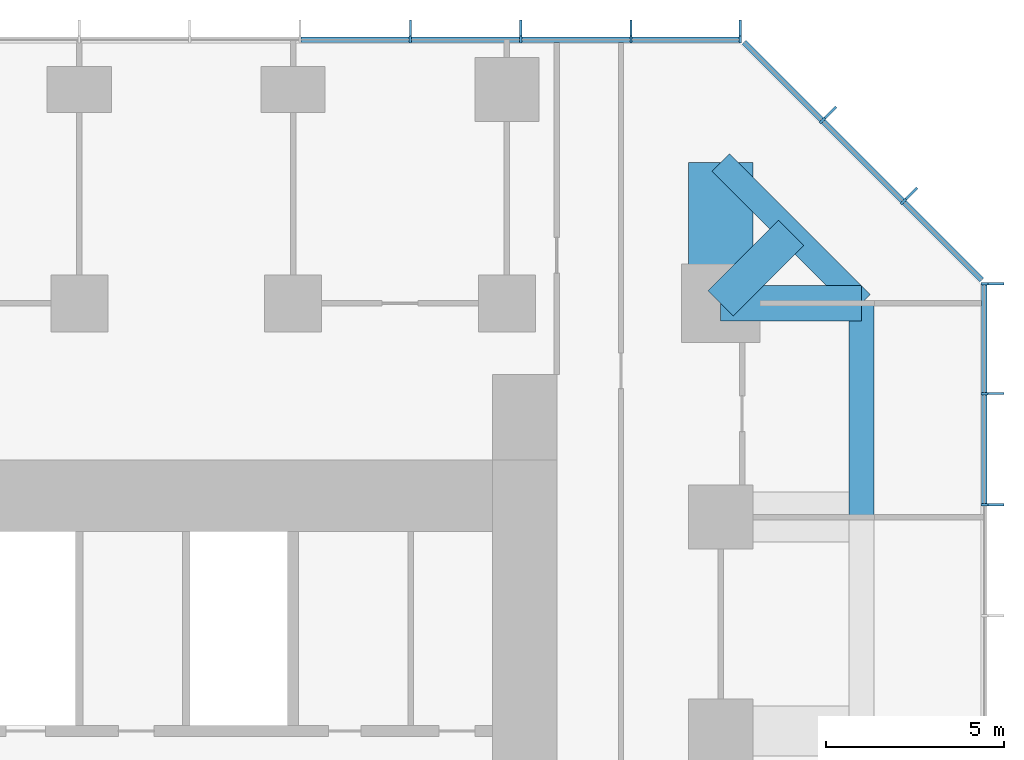
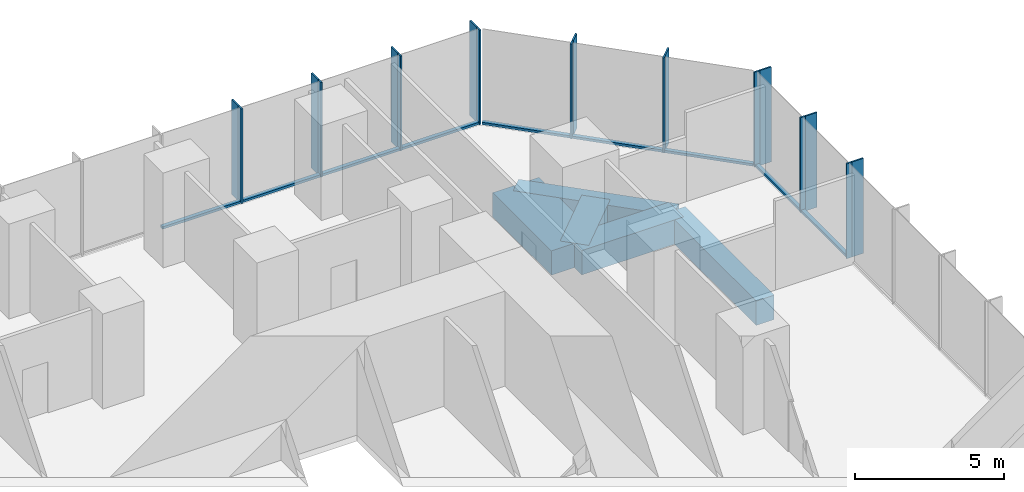
# One storey, part 6 of 12: 27 members, 5 beams, 3 elements without a shape of their own.
"""IFC4 building model written with IfcOpenShell, lengths in metres."""

from ifc_helpers import new_model, si_unit, direction, frame, origin, origin_2d, place, context, subcontext, project, spatial, rectangle, extrude, material, layer, layer_set, material_profile, profile_set, type_object, element, aggregate, save


model = new_model("IFC4")

# Units and contexts
model_context = context("Model", 3, precision=1e-05, world=origin(), true_north=direction((0.0, 1.0)))
body_context = subcontext(model_context, "Body", "Model", "MODEL_VIEW")
ifc_project = project(units=[si_unit("LENGTHUNIT", "METRE"), si_unit("AREAUNIT", "SQUARE_METRE"), si_unit("VOLUMEUNIT", "CUBIC_METRE"), si_unit("PLANEANGLEUNIT", "RADIAN"), si_unit("MASSUNIT", "GRAM", prefix="KILO")], contexts=[model_context])

# Site, building, storey
site_placement = place(None, origin())
site = spatial("IfcSite", under=ifc_project, at=site_placement, CompositionType="ELEMENT")
building_placement = place(site_placement, origin())
building = spatial("IfcBuilding", under=site, at=building_placement, Name="Highveld Stack Headquarters", CompositionType="ELEMENT")
storey_placement = place(building_placement, frame((0.0, 0.0, 148.39990234375)))
storey = spatial("IfcBuildingStorey", under=building, at=storey_placement, Name="L36", CompositionType="ELEMENT", Elevation=148.39990234375)

# Beams
ifc_material_1 = material(Name="Concrete C60/75", Category="concrete")
ifc_material_profile_1 = material_profile(ifc_material_1, rectangle(XDim=1.0, YDim=1.0, at=origin_2d()), Name="RC 1000x1000")
ifc_profile_set_1 = profile_set([ifc_material_profile_1], Name="Concrete C60/75")
beam_type_1 = type_object("IfcBeamType", Name="CANTILEVER RIB RC 1000x1000", PredefinedType="USERDEFINED", material=ifc_profile_set_1)
beam_1_placement = place(storey_placement, frame((24.0, 18.0, -0.75), z_axis=(1.0, 0.0, 0.0), x_axis=(0.0, 1.0, 0.0)))
element("IfcBeam", 1, at=beam_1_placement, inside=storey, type_object=beam_type_1, Name="Cantilever rib 10/H L36", ObjectType="CANTILEVER RIB", PredefinedType="USERDEFINED", context=body_context, shape_type="SweptSolid", body=[
    extrude(rectangle(XDim=1.0, YDim=1.0, at=origin_2d()), origin(), (0.0, 0.0, 1.0), 3.949951171875),
])
beam_2_placement = place(storey_placement, frame((24.0, 18.0, -0.75), z_axis=(0.707106781187, 0.707106781187, 0.0), x_axis=(-0.707106781187, 0.707106781187, 0.0)))
element("IfcBeam", 2, at=beam_2_placement, inside=storey, type_object=beam_type_1, Name="Cantilever rib 10/H L36", ObjectType="CANTILEVER RIB", PredefinedType="USERDEFINED", context=body_context, shape_type="SweptSolid", body=[
    extrude(rectangle(XDim=1.0, YDim=1.0, at=origin_2d()), origin(), (0.0, 0.0, 1.0), 2.793212890625),
])
ifc_material_2 = material(Name="Concrete C60/75", Category="concrete")
ifc_material_profile_2 = material_profile(ifc_material_2, rectangle(XDim=1.800048828125, YDim=1.0, at=origin_2d()), Name="RC 1800x1000")
ifc_profile_set_2 = profile_set([ifc_material_profile_2], Name="Concrete C60/75")
beam_type_2 = type_object("IfcBeamType", Name="CANTILEVER RIB RC 1800x1000", PredefinedType="USERDEFINED", material=ifc_profile_set_2)
beam_3_placement = place(storey_placement, frame((24.0, 18.0, -0.75), z_axis=(0.0, 1.0, 0.0), x_axis=(-1.0, 0.0, 0.0)))
element("IfcBeam", 3, at=beam_3_placement, inside=storey, type_object=beam_type_2, Name="Cantilever rib 10/H L36", ObjectType="CANTILEVER RIB", PredefinedType="USERDEFINED", context=body_context, shape_type="SweptSolid", body=[
    extrude(rectangle(XDim=1.800048828125, YDim=1.0, at=origin_2d()), origin(), (0.0, 0.0, 1.0), 3.949951171875),
])

# Curtain wall, members
ifc_material_3 = material(Name="Aluminium bronze anodised", Category="aluminium")
ifc_layer_1 = layer(ifc_material_3, 0.199951171875)
ifc_layer_set_1 = layer_set([ifc_layer_1], Name="Aluminium bronze anodised")
curtain_wall_type_1 = type_object("IfcCurtainWallType", Name="CW1 TOWER UNITISED CURTAIN WALL", PredefinedType="NOTDEFINED", material=ifc_layer_set_1)
curtain_wall_1_placement = place(storey_placement, origin())
curtain_wall_1 = element("IfcCurtainWall", 4, at=curtain_wall_1_placement, inside=storey, type_object=curtain_wall_type_1, Name="Curtain wall CW1 L36 E", PredefinedType="NOTDEFINED")
ifc_material_4 = material(Name="Aluminium bronze anodised", Category="aluminium")
ifc_material_profile_3 = material_profile(ifc_material_4, rectangle(XDim=0.449951171875, YDim=0.06005859375, at=origin_2d()), Name="FIN 450x60")
ifc_profile_set_3 = profile_set([ifc_material_profile_3], Name="Aluminium bronze anodised")
member_type_1 = type_object("IfcMemberType", Name="CW1 BRONZE FIN 450x60", PredefinedType="USERDEFINED", material=ifc_profile_set_3)
member_1_placement = place(storey_placement, frame((31.72509765625, 12.347900390625, 0.0), z_axis=(0.0, 0.0, 1.0), x_axis=(-1.0, 0.0, 0.0)))
member_1 = element("IfcMember", 5, at=member_1_placement, type_object=member_type_1, Name="CW1 fin L36 9", ObjectType="FIN", PredefinedType="USERDEFINED", context=body_context, shape_type="SweptSolid", body=[
    extrude(rectangle(XDim=0.449951171875, YDim=0.06005859375, at=origin_2d()), origin(), (0.0, 0.0, 1.0), 3.900146484375),
])
member_2_placement = place(storey_placement, frame((31.72509765625, 15.4638671875, 0.0), z_axis=(0.0, 0.0, 1.0), x_axis=(-1.0, 0.0, 0.0)))
member_2 = element("IfcMember", 6, at=member_2_placement, type_object=member_type_1, Name="CW1 fin L36 10", ObjectType="FIN", PredefinedType="USERDEFINED", context=body_context, shape_type="SweptSolid", body=[
    extrude(rectangle(XDim=0.449951171875, YDim=0.06005859375, at=origin_2d()), origin(), (0.0, 0.0, 1.0), 3.900146484375),
])
member_3_placement = place(storey_placement, frame((31.72509765625, 18.54736328125, 0.0), z_axis=(0.0, 0.0, 1.0), x_axis=(-1.0, 0.0, 0.0)))
member_3 = element("IfcMember", 7, at=member_3_placement, type_object=member_type_1, Name="CW1 fin L36 11", ObjectType="FIN", PredefinedType="USERDEFINED", context=body_context, shape_type="SweptSolid", body=[
    extrude(rectangle(XDim=0.449951171875, YDim=0.06005859375, at=origin_2d()), origin(), (0.0, 0.0, 1.0), 3.900146484375),
])

curtain_wall_2_placement = place(storey_placement, origin())
curtain_wall_2 = element("IfcCurtainWall", 8, at=curtain_wall_2_placement, inside=storey, type_object=curtain_wall_type_1, Name="Curtain wall CW1 L36 N", PredefinedType="NOTDEFINED")
member_4_placement = place(storey_placement, frame((24.54736328125, 25.72509765625, 0.0), z_axis=(0.0, 0.0, 1.0), x_axis=(0.0, -1.0, 0.0)))
member_4 = element("IfcMember", 9, at=member_4_placement, type_object=member_type_1, Name="CW1 fin L36 1", ObjectType="FIN", PredefinedType="USERDEFINED", context=body_context, shape_type="SweptSolid", body=[
    extrude(rectangle(XDim=0.449951171875, YDim=0.06005859375, at=origin_2d()), origin(), (0.0, 0.0, 1.0), 3.900146484375),
])
member_5_placement = place(storey_placement, frame((21.483154296875, 25.72509765625, 0.0), z_axis=(0.0, 0.0, 1.0), x_axis=(0.0, -1.0, 0.0)))
member_5 = element("IfcMember", 10, at=member_5_placement, type_object=member_type_1, Name="CW1 fin L36 2", ObjectType="FIN", PredefinedType="USERDEFINED", context=body_context, shape_type="SweptSolid", body=[
    extrude(rectangle(XDim=0.449951171875, YDim=0.06005859375, at=origin_2d()), origin(), (0.0, 0.0, 1.0), 3.900146484375),
])
member_6_placement = place(storey_placement, frame((18.38671875, 25.72509765625, 0.0), z_axis=(0.0, 0.0, 1.0), x_axis=(0.0, -1.0, 0.0)))
member_6 = element("IfcMember", 11, at=member_6_placement, type_object=member_type_1, Name="CW1 fin L36 3", ObjectType="FIN", PredefinedType="USERDEFINED", context=body_context, shape_type="SweptSolid", body=[
    extrude(rectangle(XDim=0.449951171875, YDim=0.06005859375, at=origin_2d()), origin(), (0.0, 0.0, 1.0), 3.900146484375),
])
member_7_placement = place(storey_placement, frame((15.289794921875, 25.72509765625, 0.0), z_axis=(0.0, 0.0, 1.0), x_axis=(0.0, -1.0, 0.0)))
member_7 = element("IfcMember", 12, at=member_7_placement, type_object=member_type_1, Name="CW1 fin L36 4", ObjectType="FIN", PredefinedType="USERDEFINED", context=body_context, shape_type="SweptSolid", body=[
    extrude(rectangle(XDim=0.449951171875, YDim=0.06005859375, at=origin_2d()), origin(), (0.0, 0.0, 1.0), 3.900146484375),
])

# Member
ifc_material_5 = material(Name="Aluminium bronze anodised", Category="aluminium")
ifc_material_profile_4 = material_profile(ifc_material_5, rectangle(XDim=0.199951171875, YDim=0.06494140625, at=origin_2d()), Name="CW1 MULLION 65x200")
ifc_profile_set_4 = profile_set([ifc_material_profile_4], Name="Aluminium bronze anodised")
member_type_2 = type_object("IfcMemberType", Name="CW1 MULLION 65x200", PredefinedType="MULLION", material=ifc_profile_set_4)
member_8_placement = place(storey_placement, frame((31.39990234375, 12.347900390625, 0.0), z_axis=(0.0, 0.0, 1.0), x_axis=(-1.0, 0.0, 0.0)))
member_8 = element("IfcMember", 13, at=member_8_placement, type_object=member_type_2, Name="CW1 mullion L36 9", PredefinedType="MULLION", context=body_context, shape_type="SweptSolid", body=[
    extrude(rectangle(XDim=0.199951171875, YDim=0.06494140625, at=origin_2d()), origin(), (0.0, 0.0, 1.0), 3.900146484375),
])

member_9_placement = place(storey_placement, frame((31.39990234375, 15.4638671875, 0.0), z_axis=(0.0, 0.0, 1.0), x_axis=(-1.0, 0.0, 0.0)))
member_9 = element("IfcMember", 14, at=member_9_placement, type_object=member_type_2, Name="CW1 mullion L36 10", PredefinedType="MULLION", context=body_context, shape_type="SweptSolid", body=[
    extrude(rectangle(XDim=0.199951171875, YDim=0.06494140625, at=origin_2d()), origin(), (0.0, 0.0, 1.0), 3.900146484375),
])

member_10_placement = place(storey_placement, frame((31.39990234375, 18.54736328125, 0.0), z_axis=(0.0, 0.0, 1.0), x_axis=(-1.0, 0.0, 0.0)))
member_10 = element("IfcMember", 15, at=member_10_placement, type_object=member_type_2, Name="CW1 mullion L36 11", PredefinedType="MULLION", context=body_context, shape_type="SweptSolid", body=[
    extrude(rectangle(XDim=0.199951171875, YDim=0.06494140625, at=origin_2d()), origin(), (0.0, 0.0, 1.0), 3.900146484375),
])

member_11_placement = place(storey_placement, frame((24.54736328125, 25.39990234375, 0.0), z_axis=(0.0, 0.0, 1.0), x_axis=(0.0, -1.0, 0.0)))
member_11 = element("IfcMember", 16, at=member_11_placement, type_object=member_type_2, Name="CW1 mullion L36 1", PredefinedType="MULLION", context=body_context, shape_type="SweptSolid", body=[
    extrude(rectangle(XDim=0.199951171875, YDim=0.06494140625, at=origin_2d()), origin(), (0.0, 0.0, 1.0), 3.900146484375),
])

member_12_placement = place(storey_placement, frame((21.483154296875, 25.39990234375, 0.0), z_axis=(0.0, 0.0, 1.0), x_axis=(0.0, -1.0, 0.0)))
member_12 = element("IfcMember", 17, at=member_12_placement, type_object=member_type_2, Name="CW1 mullion L36 2", PredefinedType="MULLION", context=body_context, shape_type="SweptSolid", body=[
    extrude(rectangle(XDim=0.199951171875, YDim=0.06494140625, at=origin_2d()), origin(), (0.0, 0.0, 1.0), 3.900146484375),
])

member_13_placement = place(storey_placement, frame((18.38671875, 25.39990234375, 0.0), z_axis=(0.0, 0.0, 1.0), x_axis=(0.0, -1.0, 0.0)))
member_13 = element("IfcMember", 18, at=member_13_placement, type_object=member_type_2, Name="CW1 mullion L36 3", PredefinedType="MULLION", context=body_context, shape_type="SweptSolid", body=[
    extrude(rectangle(XDim=0.199951171875, YDim=0.06494140625, at=origin_2d()), origin(), (0.0, 0.0, 1.0), 3.900146484375),
])

member_14_placement = place(storey_placement, frame((15.289794921875, 25.39990234375, 0.0), z_axis=(0.0, 0.0, 1.0), x_axis=(0.0, -1.0, 0.0)))
member_14 = element("IfcMember", 19, at=member_14_placement, type_object=member_type_2, Name="CW1 mullion L36 4", PredefinedType="MULLION", context=body_context, shape_type="SweptSolid", body=[
    extrude(rectangle(XDim=0.199951171875, YDim=0.06494140625, at=origin_2d()), origin(), (0.0, 0.0, 1.0), 3.900146484375),
])

ifc_material_6 = material(Name="Aluminium bronze anodised", Category="aluminium")
ifc_material_profile_5 = material_profile(ifc_material_6, rectangle(XDim=0.14990234375, YDim=0.10009765625, at=origin_2d()), Name="CW1 TRANSOM 150x100")
ifc_profile_set_5 = profile_set([ifc_material_profile_5], Name="Aluminium bronze anodised")
member_type_3 = type_object("IfcMemberType", Name="CW1 STACK TRANSOM 150x100", PredefinedType="USERDEFINED", material=ifc_profile_set_5)
member_15_placement = place(storey_placement, frame((31.39990234375, 12.38037109375, 0.050048828125), z_axis=(0.0, 1.0, 0.0), x_axis=(-1.0, 0.0, 0.0)))
member_15 = element("IfcMember", 20, at=member_15_placement, type_object=member_type_3, Name="CW1 transom L36 9.1", ObjectType="TRANSOM", PredefinedType="USERDEFINED", context=body_context, shape_type="SweptSolid", body=[
    extrude(rectangle(XDim=0.14990234375, YDim=0.10009765625, at=origin_2d()), origin(), (0.0, 0.0, 1.0), 3.051025390625),
])

member_16_placement = place(storey_placement, frame((31.39990234375, 15.496337890625, 0.050048828125), z_axis=(0.0, 1.0, 0.0), x_axis=(-1.0, 0.0, 0.0)))
member_16 = element("IfcMember", 21, at=member_16_placement, type_object=member_type_3, Name="CW1 transom L36 10.1", ObjectType="TRANSOM", PredefinedType="USERDEFINED", context=body_context, shape_type="SweptSolid", body=[
    extrude(rectangle(XDim=0.14990234375, YDim=0.10009765625, at=origin_2d()), origin(), (0.0, 0.0, 1.0), 3.0185546875),
])

aggregate(curtain_wall_1, [member_8, member_1, member_9, member_2, member_10, member_3, member_15, member_16])

member_17_placement = place(storey_placement, frame((24.514892578125, 25.39990234375, 0.050048828125), z_axis=(-1.0, 0.0, 0.0), x_axis=(0.0, -1.0, 0.0)))
member_17 = element("IfcMember", 22, at=member_17_placement, type_object=member_type_3, Name="CW1 transom L36 1.1", ObjectType="TRANSOM", PredefinedType="USERDEFINED", context=body_context, shape_type="SweptSolid", body=[
    extrude(rectangle(XDim=0.14990234375, YDim=0.10009765625, at=origin_2d()), origin(), (0.0, 0.0, 1.0), 2.999267578125),
])

member_18_placement = place(storey_placement, frame((21.45068359375, 25.39990234375, 0.050048828125), z_axis=(-1.0, 0.0, 0.0), x_axis=(0.0, -1.0, 0.0)))
member_18 = element("IfcMember", 23, at=member_18_placement, type_object=member_type_3, Name="CW1 transom L36 2.1", ObjectType="TRANSOM", PredefinedType="USERDEFINED", context=body_context, shape_type="SweptSolid", body=[
    extrude(rectangle(XDim=0.14990234375, YDim=0.10009765625, at=origin_2d()), origin(), (0.0, 0.0, 1.0), 3.031494140625),
])

member_19_placement = place(storey_placement, frame((18.35400390625, 25.39990234375, 0.050048828125), z_axis=(-1.0, 0.0, 0.0), x_axis=(0.0, -1.0, 0.0)))
member_19 = element("IfcMember", 24, at=member_19_placement, type_object=member_type_3, Name="CW1 transom L36 3.1", ObjectType="TRANSOM", PredefinedType="USERDEFINED", context=body_context, shape_type="SweptSolid", body=[
    extrude(rectangle(XDim=0.14990234375, YDim=0.10009765625, at=origin_2d()), origin(), (0.0, 0.0, 1.0), 3.031494140625),
])

member_20_placement = place(storey_placement, frame((15.25732421875, 25.39990234375, 0.050048828125), z_axis=(-1.0, 0.0, 0.0), x_axis=(0.0, -1.0, 0.0)))
member_20 = element("IfcMember", 25, at=member_20_placement, type_object=member_type_3, Name="CW1 transom L36 4.1", ObjectType="TRANSOM", PredefinedType="USERDEFINED", context=body_context, shape_type="SweptSolid", body=[
    extrude(rectangle(XDim=0.14990234375, YDim=0.10009765625, at=origin_2d()), origin(), (0.0, 0.0, 1.0), 3.031494140625),
])

aggregate(curtain_wall_2, [member_11, member_4, member_12, member_5, member_13, member_6, member_14, member_7, member_17, member_18, member_19, member_20])

# Curtain wall, members
ifc_material_7 = material(Name="Aluminium bronze anodised", Category="aluminium")
ifc_layer_2 = layer(ifc_material_7, 0.199951171875)
ifc_layer_set_2 = layer_set([ifc_layer_2], Name="Aluminium bronze anodised")
curtain_wall_type_2 = type_object("IfcCurtainWallType", Name="CW2 TOWER CHAMFER UNITISED CURTAIN WALL", PredefinedType="NOTDEFINED", material=ifc_layer_set_2)
curtain_wall_3_placement = place(storey_placement, origin())
curtain_wall_3 = element("IfcCurtainWall", 26, at=curtain_wall_3_placement, inside=storey, type_object=curtain_wall_type_2, Name="Curtain wall CW2 L36 NE", PredefinedType="NOTDEFINED")
ifc_material_8 = material(Name="Aluminium bronze anodised", Category="aluminium")
ifc_material_profile_6 = material_profile(ifc_material_8, rectangle(XDim=0.449951171875, YDim=0.06005859375, at=origin_2d()), Name="FIN 450x60")
ifc_profile_set_6 = profile_set([ifc_material_profile_6], Name="Aluminium bronze anodised")
member_type_4 = type_object("IfcMemberType", Name="CW2 BRONZE FIN 450x60", PredefinedType="USERDEFINED", material=ifc_profile_set_6)
member_21_placement = place(storey_placement, frame((29.3564453125, 21.0830078125, 0.0), z_axis=(0.0, 0.0, 1.0), x_axis=(-0.707106781187, -0.707106781187, 0.0)))
member_21 = element("IfcMember", 27, at=member_21_placement, type_object=member_type_4, Name="CW2 fin L36 1", ObjectType="FIN", PredefinedType="USERDEFINED", context=body_context, shape_type="SweptSolid", body=[
    extrude(rectangle(XDim=0.449951171875, YDim=0.06005859375, at=origin_2d()), origin(), (0.0, 0.0, 1.0), 3.900146484375),
])
member_22_placement = place(storey_placement, frame((27.0830078125, 23.3564453125, 0.0), z_axis=(0.0, 0.0, 1.0), x_axis=(-0.707106781187, -0.707106781187, 0.0)))
member_22 = element("IfcMember", 28, at=member_22_placement, type_object=member_type_4, Name="CW2 fin L36 2", ObjectType="FIN", PredefinedType="USERDEFINED", context=body_context, shape_type="SweptSolid", body=[
    extrude(rectangle(XDim=0.449951171875, YDim=0.06005859375, at=origin_2d()), origin(), (0.0, 0.0, 1.0), 3.900146484375),
])
ifc_material_9 = material(Name="Aluminium bronze anodised", Category="aluminium")
ifc_material_profile_7 = material_profile(ifc_material_9, rectangle(XDim=0.199951171875, YDim=0.06494140625, at=origin_2d()), Name="CW2 MULLION 65x200")
ifc_profile_set_7 = profile_set([ifc_material_profile_7], Name="Aluminium bronze anodised")
member_type_5 = type_object("IfcMemberType", Name="CW2 MULLION 65x200", PredefinedType="MULLION", material=ifc_profile_set_7)
member_23_placement = place(storey_placement, frame((29.126708984375, 20.853271484375, 0.0), z_axis=(0.0, 0.0, 1.0), x_axis=(-0.707106781187, -0.707106781187, 0.0)))
member_23 = element("IfcMember", 29, at=member_23_placement, type_object=member_type_5, Name="CW2 mullion L36 1", PredefinedType="MULLION", context=body_context, shape_type="SweptSolid", body=[
    extrude(rectangle(XDim=0.199951171875, YDim=0.06494140625, at=origin_2d()), origin(), (0.0, 0.0, 1.0), 3.900146484375),
])
member_24_placement = place(storey_placement, frame((26.853271484375, 23.126708984375, 0.0), z_axis=(0.0, 0.0, 1.0), x_axis=(-0.707106781187, -0.707106781187, 0.0)))
member_24 = element("IfcMember", 30, at=member_24_placement, type_object=member_type_5, Name="CW2 mullion L36 2", PredefinedType="MULLION", context=body_context, shape_type="SweptSolid", body=[
    extrude(rectangle(XDim=0.199951171875, YDim=0.06494140625, at=origin_2d()), origin(), (0.0, 0.0, 1.0), 3.900146484375),
])
ifc_material_10 = material(Name="Aluminium bronze anodised", Category="aluminium")
ifc_material_profile_8 = material_profile(ifc_material_10, rectangle(XDim=0.14990234375, YDim=0.10009765625, at=origin_2d()), Name="CW2 TRANSOM 150x100")
ifc_profile_set_8 = profile_set([ifc_material_profile_8], Name="Aluminium bronze anodised")
member_type_6 = type_object("IfcMemberType", Name="CW2 STACK TRANSOM 150x100", PredefinedType="USERDEFINED", material=ifc_profile_set_8)
member_25_placement = place(storey_placement, frame((31.329345703125, 18.650634765625, 0.050048828125), z_axis=(-0.707106781187, 0.707106781187, 0.0), x_axis=(-0.707106781187, -0.707106781187, 0.0)))
member_25 = element("IfcMember", 31, at=member_25_placement, type_object=member_type_6, Name="CW2 transom L36 1.1", ObjectType="TRANSOM", PredefinedType="USERDEFINED", context=body_context, shape_type="SweptSolid", body=[
    extrude(rectangle(XDim=0.14990234375, YDim=0.10009765625, at=origin_2d()), origin(), (0.0, 0.0, 1.0), 3.08251953125),
])
member_26_placement = place(storey_placement, frame((29.103759765625, 20.876220703125, 0.050048828125), z_axis=(-0.707106781187, 0.707106781187, 0.0), x_axis=(-0.707106781187, -0.707106781187, 0.0)))
member_26 = element("IfcMember", 32, at=member_26_placement, type_object=member_type_6, Name="CW2 transom L36 2.1", ObjectType="TRANSOM", PredefinedType="USERDEFINED", context=body_context, shape_type="SweptSolid", body=[
    extrude(rectangle(XDim=0.14990234375, YDim=0.10009765625, at=origin_2d()), origin(), (0.0, 0.0, 1.0), 3.150146484375),
])
member_27_placement = place(storey_placement, frame((26.830322265625, 23.149658203125, 0.050048828125), z_axis=(-0.707106781187, 0.707106781187, 0.0), x_axis=(-0.707106781187, -0.707106781187, 0.0)))
member_27 = element("IfcMember", 33, at=member_27_placement, type_object=member_type_6, Name="CW2 transom L36 3.1", ObjectType="TRANSOM", PredefinedType="USERDEFINED", context=body_context, shape_type="SweptSolid", body=[
    extrude(rectangle(XDim=0.14990234375, YDim=0.10009765625, at=origin_2d()), origin(), (0.0, 0.0, 1.0), 3.08251953125),
])
aggregate(curtain_wall_3, [member_23, member_21, member_24, member_22, member_25, member_26, member_27])

# Beams
ifc_material_11 = material(Name="Concrete C60/75", Category="concrete")
ifc_material_profile_9 = material_profile(ifc_material_11, rectangle(XDim=0.699951171875, YDim=1.0, at=origin_2d()), Name="RC 700x1000")
ifc_profile_set_9 = profile_set([ifc_material_profile_9], Name="Concrete C60/75")
beam_type_3 = type_object("IfcBeamType", Name="RIB TIP BEAM RC 700x1000", PredefinedType="SPANDREL", material=ifc_profile_set_9)
beam_4_placement = place(storey_placement, frame((27.949951171875, 12.0, -0.75), z_axis=(0.0, 1.0, 0.0), x_axis=(-1.0, 0.0, 0.0)))
element("IfcBeam", 34, at=beam_4_placement, inside=storey, type_object=beam_type_3, Name="Rib tip beam 10/G to 10/H L36", PredefinedType="SPANDREL", context=body_context, shape_type="SweptSolid", body=[
    extrude(rectangle(XDim=0.699951171875, YDim=1.0, at=origin_2d()), origin(), (0.0, 0.0, 1.0), 6.0),
])
beam_5_placement = place(storey_placement, frame((27.949951171875, 18.0, -0.75), z_axis=(-0.707106781187, 0.707106781187, 0.0), x_axis=(-0.707106781187, -0.707106781187, 0.0)))
element("IfcBeam", 35, at=beam_5_placement, inside=storey, type_object=beam_type_3, Name="Rib tip beam 10/H corner L36", PredefinedType="SPANDREL", context=body_context, shape_type="SweptSolid", body=[
    extrude(rectangle(XDim=0.699951171875, YDim=1.0, at=origin_2d()), origin(), (0.0, 0.0, 1.0), 5.586181640625),
])

save(model, "model.ifc")
